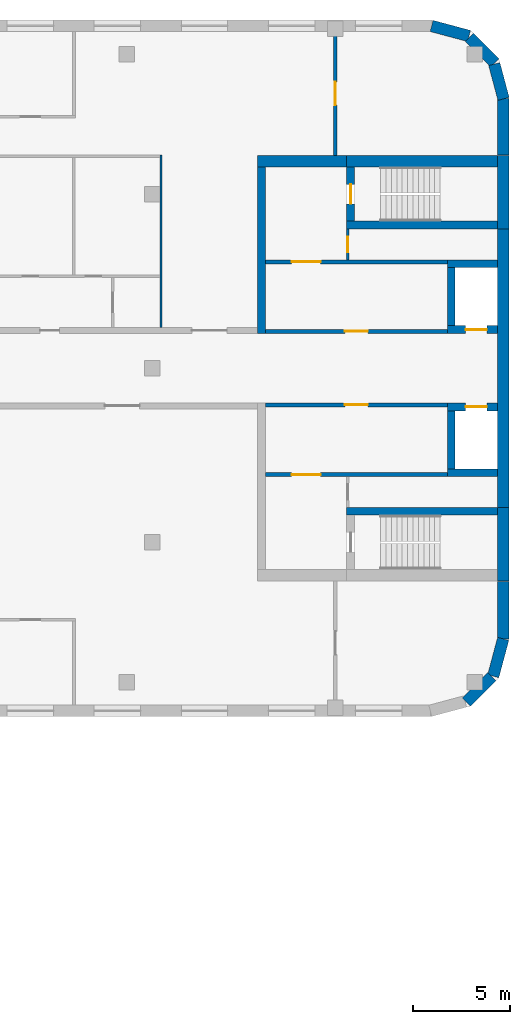
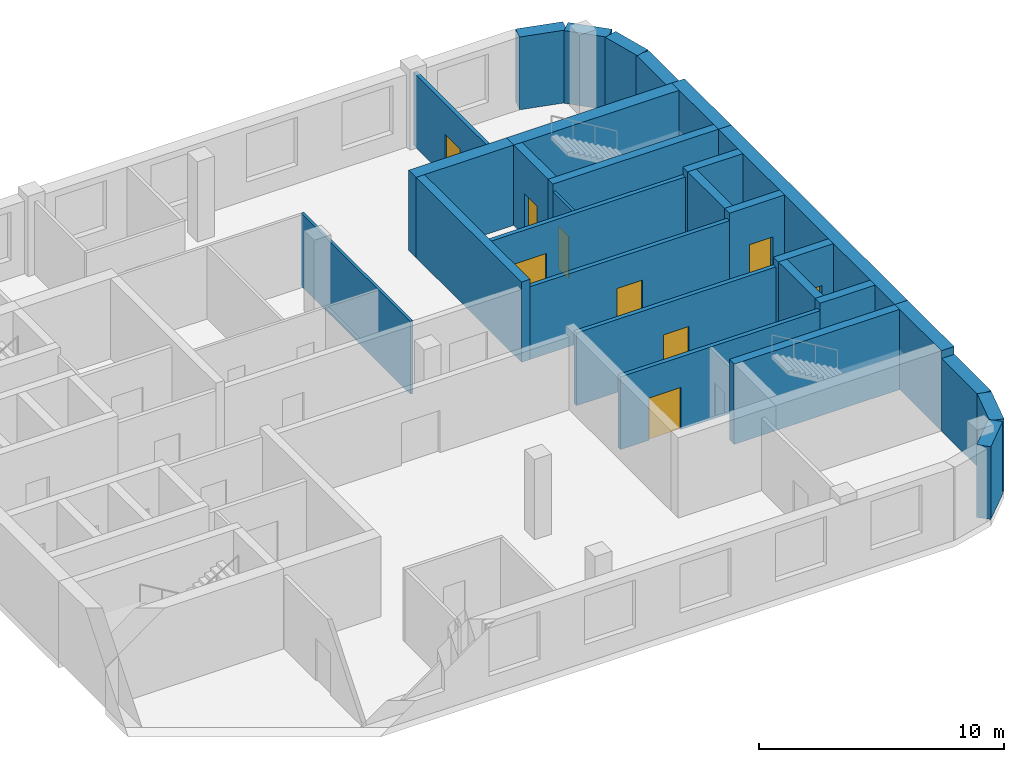
# One storey, part 9 of 12: 29 walls, 9 doors, 9 openings.
"""IFC4 building model written with IfcOpenShell, lengths in metres."""

from ifc_helpers import new_model, si_unit, direction, frame, frame_2d, origin, place, context, subcontext, project, spatial, rectangle, extrude, material, layer, layer_set, type_object, element, fill, save


model = new_model("IFC4")

# Units and contexts
model_context = context("Model", 3, precision=1e-05, world=origin(), true_north=direction((0.0, 1.0)))
body_context = subcontext(model_context, "Body", "Model", "MODEL_VIEW")
ifc_project = project(units=[si_unit("LENGTHUNIT", "METRE"), si_unit("AREAUNIT", "SQUARE_METRE"), si_unit("VOLUMEUNIT", "CUBIC_METRE"), si_unit("PLANEANGLEUNIT", "RADIAN"), si_unit("MASSUNIT", "GRAM", prefix="KILO")], contexts=[model_context])

# Site, building, storey
site_placement = place(None, origin())
site = spatial("IfcSite", under=ifc_project, at=site_placement, CompositionType="ELEMENT")
building_placement = place(site_placement, origin())
building = spatial("IfcBuilding", under=site, at=building_placement, Name="Skarvind Civic Tower", CompositionType="ELEMENT")
storey_placement = place(building_placement, frame((0.0, 0.0, 47.5)))
storey = spatial("IfcBuildingStorey", under=building, at=storey_placement, Name="L10", CompositionType="ELEMENT", Elevation=47.5)

# Wall, opening, door
ifc_material_1 = material(Name="Acoustic gypsum board on steel studs", Category="steel")
ifc_layer_1 = layer(ifc_material_1, 0.175048828125)
ifc_layer_set_1 = layer_set([ifc_layer_1], Name="ACOUSTIC MEETING-ROOM PARTITION 175")
wall_type_1 = type_object("IfcWallType", Name="ACOUSTIC MEETING-ROOM PARTITION 175", PredefinedType="PARTITIONING", material=ifc_layer_set_1)
wall_1_placement = place(storey_placement, frame((158.0, 139.0, 0.0), z_axis=(0.0, 0.0, 1.0), x_axis=(0.0, 1.0, 0.0)))
wall_1 = element("IfcWall", 1, at=wall_1_placement, inside=storey, type_object=wall_type_1, Name="Partition 10.017", PredefinedType="PARTITIONING", context=body_context, shape_type="SweptSolid", body=[
    extrude(rectangle(XDim=6.39990234375, YDim=0.175048828125, at=frame_2d((3.199951171875, 0.0))), origin(), (0.0, 0.0, 1.0), 3.625),
])
opening_1_placement = place(wall_1_placement, frame((2.60009765625, 0.0, 0.0)))
opening_1 = element("IfcOpeningElement", 2, at=opening_1_placement, cuts=wall_1, Name="Opening L10-D108", PredefinedType="OPENING", context=body_context, shape_type="SweptSolid", body=[
    extrude(rectangle(XDim=1.199951171875, YDim=2.10009765625, at=frame_2d((0.60009765625, 1.050048828125))), frame((0.0, 0.097412109375, 0.0), z_axis=(0.0, -1.0, 0.0), x_axis=(1.0, 0.0, 0.0)), (0.0, 0.0, 1.0), 0.195068359375),
])
ifc_material_2 = material(Name="Timber door leaf", Category="wood")
door_type_1 = type_object("IfcDoorType", Name="DOOR 1200X2100 DOUBLE TIMBER", OperationType="NOTDEFINED", PredefinedType="DOOR", material=ifc_material_2)
door_1_placement = place(opening_1_placement, origin())
door_1 = element("IfcDoor", 3, at=door_1_placement, inside=storey, type_object=door_type_1, Name="Door L10-D108", OperationType="DOUBLE_DOOR_SINGLE_SWING", OverallHeight=2.10009765625, OverallWidth=1.199951171875, PredefinedType="DOOR", context=body_context, shape_type="SweptSolid", body=[
    extrude(rectangle(XDim=1.199951171875, YDim=2.10009765625, at=frame_2d((0.60009765625, 1.050048828125))), frame((0.0, 0.02490234375, 0.0), z_axis=(0.0, -1.0, 0.0), x_axis=(1.0, 0.0, 0.0)), (0.0, 0.0, 1.0), 0.050048828125),
])
fill(opening_1, door_1)

ifc_material_3 = material(Name="Fire-rated masonry partition", Category="masonry")
ifc_layer_2 = layer(ifc_material_3, 0.199951171875)
ifc_layer_set_2 = layer_set([ifc_layer_2], Name="Core enclosure wall 200")
wall_type_2 = type_object("IfcWallType", Name="Core enclosure wall 200", PredefinedType="PARTITIONING", material=ifc_layer_set_2)
wall_2_placement = place(storey_placement, frame((163.800048828125, 126.10009765625, 0.0), z_axis=(0.0, 0.0, 1.0), x_axis=(-1.0, 0.0, 0.0)))
wall_2 = element("IfcWall", 4, at=wall_2_placement, inside=storey, type_object=wall_type_2, Name="Core wall CB", PredefinedType="PARTITIONING", context=body_context, shape_type="SweptSolid", body=[
    extrude(rectangle(XDim=9.400146484375, YDim=0.199951171875, at=frame_2d((4.7001953125, 0.0))), origin(), (0.0, 0.0, 1.0), 3.625),
])
opening_2_placement = place(wall_2_placement, frame((4.10009765625, 0.0, 0.0)))
opening_2 = element("IfcOpeningElement", 5, at=opening_2_placement, cuts=wall_2, Name="Opening D-L10-CB-03", PredefinedType="OPENING", context=body_context, shape_type="SweptSolid", body=[
    extrude(rectangle(XDim=1.199951171875, YDim=2.10009765625, at=frame_2d((0.60009765625, 1.050048828125))), frame((0.0, 0.10986328125, 0.0), z_axis=(0.0, -1.0, 0.0), x_axis=(1.0, 0.0, 0.0)), (0.0, 0.0, 1.0), 0.219970703125),
])
ifc_material_4 = material(Name="Fire-rated steel door", Category="steel")
door_type_2 = type_object("IfcDoorType", Name="Core lobby door 1200", OperationType="NOTDEFINED", PredefinedType="DOOR", material=ifc_material_4)
door_2_placement = place(opening_2_placement, origin())
door_2 = element("IfcDoor", 6, at=door_2_placement, inside=storey, type_object=door_type_2, Name="Fire door", OperationType="DOUBLE_DOOR_SINGLE_SWING", OverallHeight=2.10009765625, OverallWidth=1.199951171875, PredefinedType="DOOR", context=body_context, shape_type="SweptSolid", body=[
    extrude(rectangle(XDim=1.199951171875, YDim=2.10009765625, at=frame_2d((0.60009765625, 1.050048828125))), frame((0.0, 0.02490234375, 0.0), z_axis=(0.0, -1.0, 0.0), x_axis=(1.0, 0.0, 0.0)), (0.0, 0.0, 1.0), 0.050048828125),
])
fill(opening_2, door_2)

wall_3_placement = place(storey_placement, frame((163.800048828125, 122.5, 0.0), z_axis=(0.0, 0.0, 1.0), x_axis=(-1.0, 0.0, 0.0)))
wall_3 = element("IfcWall", 7, at=wall_3_placement, inside=storey, type_object=wall_type_2, Name="Core wall CB", PredefinedType="PARTITIONING", context=body_context, shape_type="SweptSolid", body=[
    extrude(rectangle(XDim=9.400146484375, YDim=0.199951171875, at=frame_2d((4.7001953125, 0.0))), origin(), (0.0, 0.0, 1.0), 3.625),
])
opening_3_placement = place(wall_3_placement, frame((6.550048828125, 0.0, 0.0)))
opening_3 = element("IfcOpeningElement", 8, at=opening_3_placement, cuts=wall_3, Name="Opening D-L10-CB-04", PredefinedType="OPENING", context=body_context, shape_type="SweptSolid", body=[
    extrude(rectangle(XDim=1.5, YDim=2.10009765625, at=frame_2d((0.75, 1.050048828125))), frame((0.0, 0.10986328125, 0.0), z_axis=(0.0, -1.0, 0.0), x_axis=(1.0, 0.0, 0.0)), (0.0, 0.0, 1.0), 0.219970703125),
])
door_type_3 = type_object("IfcDoorType", Name="Fire door 1500", OperationType="NOTDEFINED", PredefinedType="DOOR", material=ifc_material_4)
door_3_placement = place(opening_3_placement, origin())
door_3 = element("IfcDoor", 9, at=door_3_placement, inside=storey, type_object=door_type_3, Name="Fire door", OperationType="DOUBLE_DOOR_SINGLE_SWING", OverallHeight=2.10009765625, OverallWidth=1.5, PredefinedType="DOOR", context=body_context, shape_type="SweptSolid", body=[
    extrude(rectangle(XDim=1.5, YDim=2.10009765625, at=frame_2d((0.75, 1.050048828125))), frame((0.0, 0.02490234375, 0.0), z_axis=(0.0, -1.0, 0.0), x_axis=(1.0, 0.0, 0.0)), (0.0, 0.0, 1.0), 0.050048828125),
])
fill(opening_3, door_3)

wall_4_placement = place(storey_placement, frame((154.39990234375, 129.89990234375, 0.0), z_axis=(0.0, 0.0, 1.0), x_axis=(1.0, 0.0, 0.0)))
wall_4 = element("IfcWall", 10, at=wall_4_placement, inside=storey, type_object=wall_type_2, Name="Core wall CB", PredefinedType="PARTITIONING", context=body_context, shape_type="SweptSolid", body=[
    extrude(rectangle(XDim=9.400146484375, YDim=0.199951171875, at=frame_2d((4.7001953125, 0.0))), origin(), (0.0, 0.0, 1.0), 3.625),
])
opening_4_placement = place(wall_4_placement, frame((4.10009765625, 0.0, 0.0)))
opening_4 = element("IfcOpeningElement", 11, at=opening_4_placement, cuts=wall_4, Name="Opening D-L10-CB-07", PredefinedType="OPENING", context=body_context, shape_type="SweptSolid", body=[
    extrude(rectangle(XDim=1.199951171875, YDim=2.10009765625, at=frame_2d((0.60009765625, 1.050048828125))), frame((0.0, 0.10986328125, 0.0), z_axis=(0.0, -1.0, 0.0), x_axis=(1.0, 0.0, 0.0)), (0.0, 0.0, 1.0), 0.219970703125),
])
door_4_placement = place(opening_4_placement, origin())
door_4 = element("IfcDoor", 12, at=door_4_placement, inside=storey, type_object=door_type_2, Name="Fire door", OperationType="DOUBLE_DOOR_SINGLE_SWING", OverallHeight=2.10009765625, OverallWidth=1.199951171875, PredefinedType="DOOR", context=body_context, shape_type="SweptSolid", body=[
    extrude(rectangle(XDim=1.199951171875, YDim=2.10009765625, at=frame_2d((0.60009765625, 1.050048828125))), frame((0.0, 0.02490234375, 0.0), z_axis=(0.0, -1.0, 0.0), x_axis=(1.0, 0.0, 0.0)), (0.0, 0.0, 1.0), 0.050048828125),
])
fill(opening_4, door_4)

wall_5_placement = place(storey_placement, frame((154.39990234375, 133.5, 0.0), z_axis=(0.0, 0.0, 1.0), x_axis=(1.0, 0.0, 0.0)))
wall_5 = element("IfcWall", 13, at=wall_5_placement, inside=storey, type_object=wall_type_2, Name="Core wall CB", PredefinedType="PARTITIONING", context=body_context, shape_type="SweptSolid", body=[
    extrude(rectangle(XDim=9.400146484375, YDim=0.199951171875, at=frame_2d((4.7001953125, 0.0))), origin(), (0.0, 0.0, 1.0), 3.625),
])
opening_5_placement = place(wall_5_placement, frame((1.35009765625, 0.0, 0.0)))
opening_5 = element("IfcOpeningElement", 14, at=opening_5_placement, cuts=wall_5, Name="Opening D-L10-CB-08", PredefinedType="OPENING", context=body_context, shape_type="SweptSolid", body=[
    extrude(rectangle(XDim=1.5, YDim=2.10009765625, at=frame_2d((0.75, 1.050048828125))), frame((0.0, 0.10986328125, 0.0), z_axis=(0.0, -1.0, 0.0), x_axis=(1.0, 0.0, 0.0)), (0.0, 0.0, 1.0), 0.219970703125),
])
door_5_placement = place(opening_5_placement, origin())
door_5 = element("IfcDoor", 15, at=door_5_placement, inside=storey, type_object=door_type_3, Name="Fire door", OperationType="DOUBLE_DOOR_SINGLE_SWING", OverallHeight=2.10009765625, OverallWidth=1.5, PredefinedType="DOOR", context=body_context, shape_type="SweptSolid", body=[
    extrude(rectangle(XDim=1.5, YDim=2.10009765625, at=frame_2d((0.75, 1.050048828125))), frame((0.0, 0.02490234375, 0.0), z_axis=(0.0, -1.0, 0.0), x_axis=(1.0, 0.0, 0.0)), (0.0, 0.0, 1.0), 0.050048828125),
])
fill(opening_5, door_5)

# Wall
ifc_material_5 = material(Name="Concrete C80", Category="concrete")
ifc_layer_3 = layer(ifc_material_5, 0.39990234375)
ifc_layer_set_3 = layer_set([ifc_layer_3], Name="Core wall 400 C80")
wall_type_3 = type_object("IfcWallType", Name="Core wall 400 C80", PredefinedType="SHEAR", material=ifc_layer_set_3)
wall_6_placement = place(storey_placement, frame((166.39990234375, 135.39990234375, 0.0), z_axis=(0.0, 0.0, 1.0), x_axis=(-1.0, 0.0, 0.0)))
element("IfcWall", 16, at=wall_6_placement, inside=storey, type_object=wall_type_3, Name="Core wall CB south stair inner L10", PredefinedType="SHEAR", context=body_context, shape_type="SweptSolid", body=[
    extrude(rectangle(XDim=7.7998046875, YDim=0.39990234375, at=frame_2d((3.89990234375, 0.0))), origin(), (0.0, 0.0, 1.0), 4.0),
])

# Wall, opening, door
wall_7_placement = place(storey_placement, frame((158.800048828125, 138.39990234375, 0.0), z_axis=(0.0, 0.0, 1.0), x_axis=(0.0, -1.0, 0.0)))
wall_7 = element("IfcWall", 17, at=wall_7_placement, inside=storey, type_object=wall_type_3, Name="Core wall CB south stair end L10", PredefinedType="SHEAR", context=body_context, shape_type="SweptSolid", body=[
    extrude(rectangle(XDim=2.7998046875, YDim=0.39990234375, at=frame_2d((1.39990234375, 0.0))), origin(), (0.0, 0.0, 1.0), 4.0),
])
opening_6_placement = place(wall_7_placement, frame((0.89990234375, 0.0, 0.0)))
opening_6 = element("IfcOpeningElement", 18, at=opening_6_placement, cuts=wall_7, Name="Opening D-L10-CB-09", PredefinedType="OPENING", context=body_context, shape_type="SweptSolid", body=[
    extrude(rectangle(XDim=1.0, YDim=2.10009765625, at=frame_2d((0.5, 1.050048828125))), frame((0.0, 0.2099609375, 0.0), z_axis=(0.0, -1.0, 0.0), x_axis=(1.0, 0.0, 0.0)), (0.0, 0.0, 1.0), 0.419921875),
])
door_type_4 = type_object("IfcDoorType", Name="Fire door 1000", OperationType="NOTDEFINED", PredefinedType="DOOR", material=ifc_material_4)
door_6_placement = place(opening_6_placement, origin())
door_6 = element("IfcDoor", 19, at=door_6_placement, inside=storey, type_object=door_type_4, Name="Fire door", OperationType="SINGLE_SWING_RIGHT", OverallHeight=2.10009765625, OverallWidth=1.0, PredefinedType="DOOR", context=body_context, shape_type="SweptSolid", body=[
    extrude(rectangle(XDim=1.0, YDim=2.10009765625, at=frame_2d((0.5, 1.050048828125))), frame((0.0, 0.02490234375, 0.0), z_axis=(0.0, -1.0, 0.0), x_axis=(1.0, 0.0, 0.0)), (0.0, 0.0, 1.0), 0.050048828125),
])
fill(opening_6, door_6)

# Wall
wall_8_placement = place(storey_placement, frame((166.39990234375, 120.60009765625, 0.0), z_axis=(0.0, 0.0, 1.0), x_axis=(-1.0, 0.0, 0.0)))
element("IfcWall", 20, at=wall_8_placement, inside=storey, type_object=wall_type_3, Name="Core wall CB north stair inner L10", PredefinedType="SHEAR", context=body_context, shape_type="SweptSolid", body=[
    extrude(rectangle(XDim=7.7998046875, YDim=0.39990234375, at=frame_2d((3.89990234375, 0.0))), origin(), (0.0, 0.0, 1.0), 4.0),
])

# Wall, opening, door
wall_9_placement = place(storey_placement, frame((166.39990234375, 130.0, 0.0), z_axis=(0.0, 0.0, 1.0), x_axis=(-1.0, 0.0, 0.0)))
wall_9 = element("IfcWall", 21, at=wall_9_placement, inside=storey, type_object=wall_type_3, Name="Core wall CB south lift row front L10", PredefinedType="SHEAR", context=body_context, shape_type="SweptSolid", body=[
    extrude(rectangle(XDim=2.599853515625, YDim=0.39990234375, at=frame_2d((1.2998046875, 0.0))), origin(), (0.0, 0.0, 1.0), 4.0),
])
opening_7_placement = place(wall_9_placement, frame((0.550048828125, 0.0, 0.0)))
opening_7 = element("IfcOpeningElement", 22, at=opening_7_placement, cuts=wall_9, Name="Opening LD12402", PredefinedType="OPENING", context=body_context, shape_type="SweptSolid", body=[
    extrude(rectangle(XDim=1.10009765625, YDim=2.10009765625, at=frame_2d((0.550048828125, 1.050048828125))), frame((0.0, 0.2099609375, 0.0), z_axis=(0.0, -1.0, 0.0), x_axis=(1.0, 0.0, 0.0)), (0.0, 0.0, 1.0), 0.419921875),
])
ifc_material_6 = material(Name="Stainless steel landing door", Category="steel")
door_type_5 = type_object("IfcDoorType", Name="Lift landing door 1100", OperationType="DOUBLE_DOOR_SLIDING", PredefinedType="DOOR", material=ifc_material_6)
door_7_placement = place(opening_7_placement, origin())
door_7 = element("IfcDoor", 23, at=door_7_placement, inside=storey, type_object=door_type_5, Name="Lift landing door", OperationType="DOUBLE_DOOR_SLIDING", OverallHeight=2.10009765625, OverallWidth=1.10009765625, PredefinedType="DOOR", context=body_context, shape_type="SweptSolid", body=[
    extrude(rectangle(XDim=1.10009765625, YDim=2.10009765625, at=frame_2d((0.550048828125, 1.050048828125))), frame((0.0, 0.02490234375, 0.0), z_axis=(0.0, -1.0, 0.0), x_axis=(1.0, 0.0, 0.0)), (0.0, 0.0, 1.0), 0.050048828125),
])
fill(opening_7, door_7)

# Walls
wall_10_placement = place(storey_placement, frame((166.39990234375, 133.39990234375, 0.0), z_axis=(0.0, 0.0, 1.0), x_axis=(-1.0, 0.0, 0.0)))
element("IfcWall", 24, at=wall_10_placement, inside=storey, type_object=wall_type_3, Name="Core wall CB south lift row back L10", PredefinedType="SHEAR", context=body_context, shape_type="SweptSolid", body=[
    extrude(rectangle(XDim=2.599853515625, YDim=0.39990234375, at=frame_2d((1.2998046875, 0.0))), origin(), (0.0, 0.0, 1.0), 4.0),
])
wall_11_placement = place(storey_placement, frame((164.0, 133.199951171875, 0.0), z_axis=(0.0, 0.0, 1.0), x_axis=(0.0, -1.0, 0.0)))
element("IfcWall", 25, at=wall_11_placement, inside=storey, type_object=wall_type_3, Name="Core wall CB south lift row division 1 L10", PredefinedType="SHEAR", context=body_context, shape_type="SweptSolid", body=[
    extrude(rectangle(XDim=3.0, YDim=0.39990234375, at=frame_2d((1.5, 0.0))), origin(), (0.0, 0.0, 1.0), 4.0),
])

# Wall, opening, door
wall_12_placement = place(storey_placement, frame((166.39990234375, 126.0, 0.0), z_axis=(0.0, 0.0, 1.0), x_axis=(-1.0, 0.0, 0.0)))
wall_12 = element("IfcWall", 26, at=wall_12_placement, inside=storey, type_object=wall_type_3, Name="Core wall CB north lift row front L10", PredefinedType="SHEAR", context=body_context, shape_type="SweptSolid", body=[
    extrude(rectangle(XDim=2.599853515625, YDim=0.39990234375, at=frame_2d((1.2998046875, 0.0))), origin(), (0.0, 0.0, 1.0), 4.0),
])
opening_8_placement = place(wall_12_placement, frame((0.550048828125, 0.0, 0.0)))
opening_8 = element("IfcOpeningElement", 27, at=opening_8_placement, cuts=wall_12, Name="Opening LD12401", PredefinedType="OPENING", context=body_context, shape_type="SweptSolid", body=[
    extrude(rectangle(XDim=1.10009765625, YDim=2.10009765625, at=frame_2d((0.550048828125, 1.050048828125))), frame((0.0, 0.2099609375, 0.0), z_axis=(0.0, -1.0, 0.0), x_axis=(1.0, 0.0, 0.0)), (0.0, 0.0, 1.0), 0.419921875),
])
door_8_placement = place(opening_8_placement, origin())
door_8 = element("IfcDoor", 28, at=door_8_placement, inside=storey, type_object=door_type_5, Name="Lift landing door", OperationType="DOUBLE_DOOR_SLIDING", OverallHeight=2.10009765625, OverallWidth=1.10009765625, PredefinedType="DOOR", context=body_context, shape_type="SweptSolid", body=[
    extrude(rectangle(XDim=1.10009765625, YDim=2.10009765625, at=frame_2d((0.550048828125, 1.050048828125))), frame((0.0, 0.02490234375, 0.0), z_axis=(0.0, -1.0, 0.0), x_axis=(1.0, 0.0, 0.0)), (0.0, 0.0, 1.0), 0.050048828125),
])
fill(opening_8, door_8)

# Walls
wall_13_placement = place(storey_placement, frame((166.39990234375, 122.60009765625, 0.0), z_axis=(0.0, 0.0, 1.0), x_axis=(-1.0, 0.0, 0.0)))
element("IfcWall", 29, at=wall_13_placement, inside=storey, type_object=wall_type_3, Name="Core wall CB north lift row back L10", PredefinedType="SHEAR", context=body_context, shape_type="SweptSolid", body=[
    extrude(rectangle(XDim=2.599853515625, YDim=0.39990234375, at=frame_2d((1.2998046875, 0.0))), origin(), (0.0, 0.0, 1.0), 4.0),
])
wall_14_placement = place(storey_placement, frame((164.0, 125.800048828125, 0.0), z_axis=(0.0, 0.0, 1.0), x_axis=(0.0, -1.0, 0.0)))
element("IfcWall", 30, at=wall_14_placement, inside=storey, type_object=wall_type_3, Name="Core wall CB north lift row division 1 L10", PredefinedType="SHEAR", context=body_context, shape_type="SweptSolid", body=[
    extrude(rectangle(XDim=3.0, YDim=0.39990234375, at=frame_2d((1.5, 0.0))), origin(), (0.0, 0.0, 1.0), 4.0),
])
wall_15_placement = place(storey_placement, frame((154.199951171875, 138.39990234375, 0.0), z_axis=(0.0, 0.0, 1.0), x_axis=(0.0, -1.0, 0.0)))
element("IfcWall", 31, at=wall_15_placement, inside=storey, type_object=wall_type_3, Name="Core wall CB south inner face L10", PredefinedType="SHEAR", context=body_context, shape_type="SweptSolid", body=[
    extrude(rectangle(XDim=8.599853515625, YDim=0.39990234375, at=frame_2d((4.2998046875, 0.0))), origin(), (0.0, 0.0, 1.0), 4.0),
])
ifc_layer_4 = layer(ifc_material_5, 0.60009765625)
ifc_layer_set_4 = layer_set([ifc_layer_4], Name="Core wall 600 C80")
wall_type_4 = type_object("IfcWallType", Name="Core wall 600 C80", PredefinedType="SHEAR", material=ifc_layer_set_4)
wall_16_placement = place(storey_placement, frame((166.699951171875, 139.0, 0.0), z_axis=(0.0, 0.0, 1.0), x_axis=(0.0, -1.0, 0.0)))
element("IfcWall", 32, at=wall_16_placement, inside=storey, type_object=wall_type_4, Name="Core wall CB tip at the south stair L10", PredefinedType="SHEAR", context=body_context, shape_type="SweptSolid", body=[
    extrude(rectangle(XDim=3.800048828125, YDim=0.60009765625, at=frame_2d((1.89990234375, 0.0))), origin(), (0.0, 0.0, 1.0), 4.0),
])
wall_17_placement = place(storey_placement, frame((166.699951171875, 135.199951171875, 0.0), z_axis=(0.0, 0.0, 1.0), x_axis=(0.0, -1.0, 0.0)))
element("IfcWall", 33, at=wall_17_placement, inside=storey, type_object=wall_type_4, Name="Core wall CB tip between the stairs L10", PredefinedType="SHEAR", context=body_context, shape_type="SweptSolid", body=[
    extrude(rectangle(XDim=14.39990234375, YDim=0.60009765625, at=frame_2d((7.199951171875, 0.0))), origin(), (0.0, 0.0, 1.0), 4.0),
])
wall_18_placement = place(storey_placement, frame((166.699951171875, 120.800048828125, 0.0), z_axis=(0.0, 0.0, 1.0), x_axis=(0.0, -1.0, 0.0)))
element("IfcWall", 34, at=wall_18_placement, inside=storey, type_object=wall_type_4, Name="Core wall CB tip at the north stair L10", PredefinedType="SHEAR", context=body_context, shape_type="SweptSolid", body=[
    extrude(rectangle(XDim=3.800048828125, YDim=0.60009765625, at=frame_2d((1.89990234375, 0.0))), origin(), (0.0, 0.0, 1.0), 4.0),
])
wall_19_placement = place(storey_placement, frame((166.39990234375, 138.699951171875, 0.0), z_axis=(0.0, 0.0, 1.0), x_axis=(-1.0, 0.0, 0.0)))
element("IfcWall", 35, at=wall_19_placement, inside=storey, type_object=wall_type_4, Name="Core wall CB south side at the stair L10", PredefinedType="SHEAR", context=body_context, shape_type="SweptSolid", body=[
    extrude(rectangle(XDim=7.7998046875, YDim=0.60009765625, at=frame_2d((3.89990234375, 0.0))), origin(), (0.0, 0.0, 1.0), 4.0),
])
wall_20_placement = place(storey_placement, frame((158.60009765625, 138.699951171875, 0.0), z_axis=(0.0, 0.0, 1.0), x_axis=(-1.0, 0.0, 0.0)))
element("IfcWall", 36, at=wall_20_placement, inside=storey, type_object=wall_type_4, Name="Core wall CB south side L10", PredefinedType="SHEAR", context=body_context, shape_type="SweptSolid", body=[
    extrude(rectangle(XDim=4.60009765625, YDim=0.60009765625, at=frame_2d((2.300048828125, 0.0))), origin(), (0.0, 0.0, 1.0), 4.0),
])

# Wall, opening, door
ifc_layer_5 = layer(ifc_material_3, 0.125)
ifc_layer_set_5 = layer_set([ifc_layer_5], Name="Riser wall 125")
wall_type_5 = type_object("IfcWallType", Name="Riser wall 125", PredefinedType="PARTITIONING", material=ifc_layer_set_5)
wall_21_placement = place(storey_placement, frame((158.66259765625, 133.60009765625, 0.0), z_axis=(0.0, 0.0, 1.0), x_axis=(0.0, 1.0, 0.0)))
wall_21 = element("IfcWall", 37, at=wall_21_placement, inside=storey, type_object=wall_type_5, Name="Core wall CB", PredefinedType="PARTITIONING", context=body_context, shape_type="SweptSolid", body=[
    extrude(rectangle(XDim=1.599853515625, YDim=0.125, at=frame_2d((0.7998046875, 0.0))), origin(), (0.0, 0.0, 1.0), 3.625),
])
opening_9_placement = place(wall_21_placement, frame((0.39990234375, 0.0, 0.0)))
opening_9 = element("IfcOpeningElement", 38, at=opening_9_placement, cuts=wall_21, Name="Opening D-L10-CB-10", PredefinedType="OPENING", context=body_context, shape_type="SweptSolid", body=[
    extrude(rectangle(XDim=0.800048828125, YDim=2.10009765625, at=frame_2d((0.39990234375, 1.050048828125))), frame((0.0, 0.072509765625, 0.0), z_axis=(0.0, -1.0, 0.0), x_axis=(1.0, 0.0, 0.0)), (0.0, 0.0, 1.0), 0.14501953125),
])
door_type_6 = type_object("IfcDoorType", Name="Core riser door 800", OperationType="NOTDEFINED", PredefinedType="DOOR", material=ifc_material_4)
door_9_placement = place(opening_9_placement, origin())
door_9 = element("IfcDoor", 39, at=door_9_placement, inside=storey, type_object=door_type_6, Name="Riser door", OperationType="SINGLE_SWING_LEFT", OverallHeight=2.10009765625, OverallWidth=0.800048828125, PredefinedType="DOOR", context=body_context, shape_type="SweptSolid", body=[
    extrude(rectangle(XDim=0.800048828125, YDim=2.10009765625, at=frame_2d((0.39990234375, 1.050048828125))), frame((0.0, 0.02490234375, 0.0), z_axis=(0.0, -1.0, 0.0), x_axis=(1.0, 0.0, 0.0)), (0.0, 0.0, 1.0), 0.050048828125),
])
fill(opening_9, door_9)

# Walls
ifc_material_7 = material(Name="Moisture-resistant gypsum board on steel studs", Category="steel")
ifc_layer_6 = layer(ifc_material_7, 0.125)
ifc_layer_set_6 = layer_set([ifc_layer_6], Name="WC PARTITION 125")
wall_type_6 = type_object("IfcWallType", Name="WC PARTITION 125", PredefinedType="PARTITIONING", material=ifc_layer_set_6)
wall_22_placement = place(storey_placement, frame((149.0, 139.011962890625, 0.0), z_axis=(0.0, 0.0, 1.0), x_axis=(0.0, -1.0, 0.0)))
element("IfcWall", 40, at=wall_22_placement, inside=storey, type_object=wall_type_6, Name="Partition 10.014", PredefinedType="PARTITIONING", context=body_context, shape_type="SweptSolid", body=[
    extrude(rectangle(XDim=8.911865234375, YDim=0.125, at=frame_2d((4.4560546875, 0.0))), origin(), (0.0, 0.0, 1.0), 3.625),
])
ifc_material_8 = material(Name="Limestone masonry cladding on insulated backing", Category="masonry")
ifc_layer_7 = layer(ifc_material_8, 0.60009765625)
ifc_layer_set_7 = layer_set([ifc_layer_7], Name="WX1 STONE FACADE WALL 600")
wall_type_7 = type_object("IfcWallType", Name="WX1 STONE FACADE WALL 600", PredefinedType="SOLIDWALL", material=ifc_layer_set_7)
wall_23_placement = place(storey_placement, frame((166.103515625, 112.063720703125, 0.0), z_axis=(0.0, 0.0, 1.0), x_axis=(-0.707106781187, -0.707106781187, 0.0)))
element("IfcWall", 41, at=wall_23_placement, inside=storey, type_object=wall_type_7, Name="STONE FACADE WALL", PredefinedType="SOLIDWALL", context=body_context, shape_type="SweptSolid", body=[
    extrude(rectangle(XDim=1.860595703125, YDim=0.60009765625, at=frame_2d((0.93017578125, 0.0))), origin(), (0.0, 0.0, 1.0), 3.625),
])
wall_24_placement = place(storey_placement, frame((166.692138671875, 114.010009765625, 0.0), z_axis=(0.0, 0.0, 1.0), x_axis=(-0.258839784042, -0.965920269068, 0.0)))
element("IfcWall", 42, at=wall_24_placement, inside=storey, type_object=wall_type_7, Name="STONE FACADE WALL", PredefinedType="SOLIDWALL", context=body_context, shape_type="SweptSolid", body=[
    extrude(rectangle(XDim=2.00048828125, YDim=0.60009765625, at=frame_2d((1.000244140625, 0.0))), origin(), (0.0, 0.0, 1.0), 3.625),
])
wall_25_placement = place(storey_placement, frame((166.699951171875, 116.97998046875, 0.0), z_axis=(0.0, 0.0, 1.0), x_axis=(0.0, -1.0, 0.0)))
element("IfcWall", 43, at=wall_25_placement, inside=storey, type_object=wall_type_7, Name="STONE FACADE WALL", PredefinedType="SOLIDWALL", context=body_context, shape_type="SweptSolid", body=[
    extrude(rectangle(XDim=2.97998046875, YDim=0.60009765625, at=frame_2d((1.489990234375, 0.0))), origin(), (0.0, 0.0, 1.0), 3.625),
])
wall_26_placement = place(storey_placement, frame((166.699951171875, 141.929931640625, 0.0), z_axis=(0.0, 0.0, 1.0), x_axis=(0.0, -1.0, 0.0)))
element("IfcWall", 44, at=wall_26_placement, inside=storey, type_object=wall_type_7, Name="STONE FACADE WALL", PredefinedType="SOLIDWALL", context=body_context, shape_type="SweptSolid", body=[
    extrude(rectangle(XDim=2.909912109375, YDim=0.60009765625, at=frame_2d((1.455078125, 0.0))), origin(), (0.0, 0.0, 1.0), 3.625),
])
for number, where, z_axis, x_axis, name in (
    (45, (166.228759765625, 143.719482421875, 0.0), (0.0, 0.0, 1.0), (0.258773254036, -0.965938094805, 0.0), "STONE FACADE WALL"),
    (46, (164.936279296875, 145.103515625, 0.0), (0.0, 0.0, 1.0), (0.707106781187, -0.707106781187, 0.0), "STONE FACADE WALL"),
):
    element("IfcWall", number, at=place(storey_placement, frame(where, z_axis=z_axis, x_axis=x_axis)), inside=storey, type_object=wall_type_7, Name=name, PredefinedType="SOLIDWALL", context=body_context, shape_type="SweptSolid", body=[
        extrude(rectangle(XDim=1.860595703125, YDim=0.60009765625, at=frame_2d((0.93017578125, 0.0))), origin(), (0.0, 0.0, 1.0), 3.625),
    ])
wall_27_placement = place(storey_placement, frame((162.989990234375, 145.692138671875, 0.0), z_axis=(0.0, 0.0, 1.0), x_axis=(0.965920269068, -0.258839784042, 0.0)))
element("IfcWall", 47, at=wall_27_placement, inside=storey, type_object=wall_type_7, Name="STONE FACADE WALL", PredefinedType="SOLIDWALL", context=body_context, shape_type="SweptSolid", body=[
    extrude(rectangle(XDim=2.00048828125, YDim=0.60009765625, at=frame_2d((1.000244140625, 0.0))), origin(), (0.0, 0.0, 1.0), 3.625),
])

save(model, "model.ifc")
